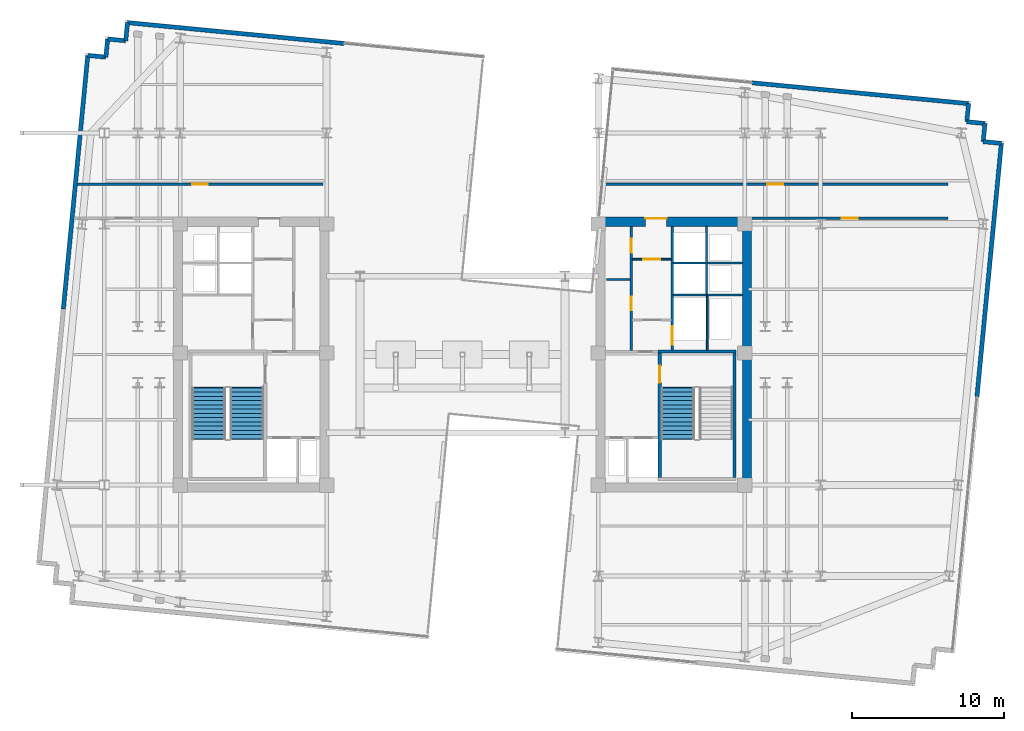
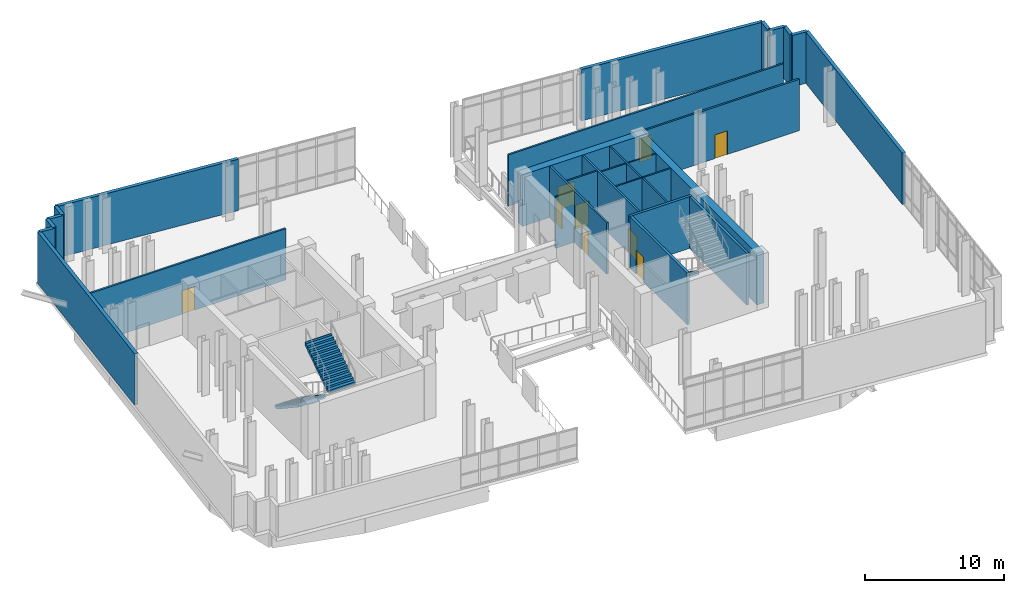
# One storey, part 13 of 16: 29 walls, 9 doors, 3 stair flights, 9 openings, 2 elements without a shape of their own.
"""IFC4 building model written with IfcOpenShell, lengths in metres."""

from ifc_helpers import new_model, si_unit, direction, frame, frame_2d, origin, place, context, subcontext, project, spatial, polyline, rectangle, outline, extrude, material, layer, layer_set, type_object, element, fill, aggregate, save


model = new_model("IFC4")

# Units and contexts
model_context = context("Model", 3, precision=1e-05, world=origin(), true_north=direction((0.0, 1.0)))
body_context = subcontext(model_context, "Body", "Model", "MODEL_VIEW")
ifc_project = project(units=[si_unit("LENGTHUNIT", "METRE"), si_unit("AREAUNIT", "SQUARE_METRE"), si_unit("VOLUMEUNIT", "CUBIC_METRE"), si_unit("PLANEANGLEUNIT", "RADIAN"), si_unit("MASSUNIT", "GRAM", prefix="KILO")], contexts=[model_context])

# Site, building, storey
site_placement = place(None, origin())
site = spatial("IfcSite", under=ifc_project, at=site_placement, CompositionType="ELEMENT")
building_placement = place(site_placement, origin())
building = spatial("IfcBuilding", under=site, at=building_placement, Name="Velakula Bourse", CompositionType="ELEMENT")
storey_placement = place(building_placement, frame((0.0, 0.0, 199.5)))
storey = spatial("IfcBuildingStorey", under=building, at=storey_placement, Name="L54", CompositionType="ELEMENT", Elevation=199.5)

# Wall, opening, door
ifc_material_1 = material(Name="Concrete M50 (fck 50 MPa)", Category="concrete")
ifc_layer_1 = layer(ifc_material_1, 0.2099609375, Name="Concrete M50 (fck 50 MPa)", Category="concrete")
ifc_layer_set_1 = layer_set([ifc_layer_1], Name="Concrete M50 (fck 50 MPa)")
wall_type_1 = type_object("IfcWallType", Name="WL-CORE-210", PredefinedType="SHEAR", material=ifc_layer_set_1)
wall_1_placement = place(storey_placement, frame((12.9951171875, -8.10009765625, 0.0), z_axis=(0.0, 0.0, 1.0), x_axis=(0.0, 1.0, 0.0)))
wall_1 = element("IfcWall", 1, at=wall_1_placement, inside=storey, type_object=wall_type_1, Name="L54 Core E Stairwell Shear Wall IN", PredefinedType="SHEAR", context=body_context, shape_type="SweptSolid", body=[
    extrude(rectangle(XDim=8.2001953125, YDim=0.2099609375, at=frame_2d((4.10009765625, 0.0))), origin(), (0.0, 0.0, 1.0), 4.52001953125),
])
opening_1_placement = place(wall_1_placement, frame((6.25, 0.0, 0.0)))
opening_1 = element("IfcOpeningElement", 2, at=opening_1_placement, cuts=wall_1, Name="Opening D-STE1", PredefinedType="OPENING", context=body_context, shape_type="SweptSolid", body=[
    extrude(rectangle(XDim=1.10009765625, YDim=2.14990234375, at=frame_2d((0.550048828125, 1.074951171875))), frame((0.0, 0.114990234375, 0.0), z_axis=(0.0, -1.0, 0.0), x_axis=(1.0, 0.0, 0.0)), (0.0, 0.0, 1.0), 0.22998046875),
])
ifc_material_2 = material(Name="Galvanised painted hollow steel fire door", Category="steel")
door_type_1 = type_object("IfcDoorType", Name="DR-FD120-1100x2150", OperationType="NOTDEFINED", PredefinedType="DOOR", material=ifc_material_2)
door_1_placement = place(opening_1_placement, origin())
door_1 = element("IfcDoor", 3, at=door_1_placement, inside=storey, type_object=door_type_1, Name="L54 Stair ST-E1 Fire Door", OperationType="SINGLE_SWING_RIGHT", OverallHeight=2.14990234375, OverallWidth=1.10009765625, PredefinedType="DOOR", context=body_context, shape_type="SweptSolid", body=[
    extrude(rectangle(XDim=1.10009765625, YDim=2.14990234375, at=frame_2d((0.550048828125, 1.074951171875))), frame((0.0, 0.02490234375, 0.0), z_axis=(0.0, -1.0, 0.0), x_axis=(1.0, 0.0, 0.0)), (0.0, 0.0, 1.0), 0.050048828125),
])
fill(opening_1, door_1)

# Walls
wall_2_placement = place(storey_placement, frame((17.925048828125, -8.10009765625, 0.0), z_axis=(0.0, 0.0, 1.0), x_axis=(0.0, 1.0, 0.0)))
element("IfcWall", 4, at=wall_2_placement, inside=storey, type_object=wall_type_1, Name="L54 Core E Stairwell Shear Wall OUT", PredefinedType="SHEAR", context=body_context, shape_type="SweptSolid", body=[
    extrude(rectangle(XDim=8.2001953125, YDim=0.2099609375, at=frame_2d((4.10009765625, 0.0))), origin(), (0.0, 0.0, 1.0), 4.52001953125),
])
wall_3_placement = place(storey_placement, frame((18.030029296875, 0.205078125, 0.0), z_axis=(0.0, 0.0, 1.0), x_axis=(-1.0, 0.0, 0.0)))
element("IfcWall", 5, at=wall_3_placement, inside=storey, type_object=wall_type_1, Name="L54 Core E Stairwell Shear Wall N", PredefinedType="SHEAR", context=body_context, shape_type="SweptSolid", body=[
    extrude(rectangle(XDim=5.14013671875, YDim=0.2099609375, at=frame_2d((2.570068359375, 0.0))), origin(), (0.0, 0.0, 1.0), 4.52001953125),
])

# Wall, opening, door
ifc_material_3 = material(Name="Concrete M70 (fck 70 MPa)", Category="concrete")
ifc_layer_2 = layer(ifc_material_3, 0.60009765625, Name="Concrete M70 (fck 70 MPa)", Category="concrete")
ifc_layer_set_2 = layer_set([ifc_layer_2], Name="Concrete M70 (fck 70 MPa)")
wall_type_2 = type_object("IfcWallType", Name="WL-CORE-600", PredefinedType="SHEAR", material=ifc_layer_set_2)
wall_4_placement = place(storey_placement, frame((8.800048828125, 8.75, 0.0), z_axis=(0.0, 0.0, 1.0), x_axis=(1.0, 0.0, 0.0)))
wall_4 = element("IfcWall", 6, at=wall_4_placement, inside=storey, type_object=wall_type_2, Name="L54 Core E Shear Wall N", PredefinedType="SHEAR", context=body_context, shape_type="SweptSolid", body=[
    extrude(rectangle(XDim=10.25, YDim=0.60009765625, at=frame_2d((5.125, 0.0))), origin(), (0.0, 0.0, 1.0), 4.52001953125),
])
opening_2_placement = place(wall_4_placement, frame((3.25, 0.0, 0.0)))
opening_2 = element("IfcOpeningElement", 7, at=opening_2_placement, cuts=wall_4, Name="Opening D-LLE", PredefinedType="OPENING", context=body_context, shape_type="SweptSolid", body=[
    extrude(rectangle(XDim=1.39990234375, YDim=2.050048828125, at=frame_2d((0.699951171875, 1.02490234375))), frame((0.0, 0.31005859375, 0.0), z_axis=(0.0, -1.0, 0.0), x_axis=(1.0, 0.0, 0.0)), (0.0, 0.0, 1.0), 0.6201171875),
])
ifc_material_4 = material(Name="Fire-rated hardwood flush architectural door", Category="wood")
door_type_2 = type_object("IfcDoorType", Name="DR-DBL-FD60-1400", OperationType="DOUBLE_DOOR_SINGLE_SWING", PredefinedType="DOOR", material=ifc_material_4)
door_2_placement = place(opening_2_placement, origin())
door_2 = element("IfcDoor", 8, at=door_2_placement, inside=storey, type_object=door_type_2, Name="L54 Core E Lift Lobby Corridor Double Door", OperationType="DOUBLE_DOOR_SINGLE_SWING", OverallHeight=2.050048828125, OverallWidth=1.39990234375, PredefinedType="DOOR", context=body_context, shape_type="SweptSolid", body=[
    extrude(rectangle(XDim=1.39990234375, YDim=2.050048828125, at=frame_2d((0.699951171875, 1.02490234375))), frame((0.0, 0.2451171875, 0.0), z_axis=(0.0, -1.0, 0.0), x_axis=(1.0, 0.0, 0.0)), (0.0, 0.0, 1.0), 0.050048828125),
])
fill(opening_2, door_2)

# Walls
wall_5_placement = place(storey_placement, frame((18.75, -8.449951171875, 0.0), z_axis=(0.0, 0.0, 1.0), x_axis=(0.0, 1.0, 0.0)))
element("IfcWall", 9, at=wall_5_placement, inside=storey, type_object=wall_type_2, Name="L54 Core E Shear Wall E", PredefinedType="SHEAR", context=body_context, shape_type="SweptSolid", body=[
    extrude(rectangle(XDim=16.89990234375, YDim=0.60009765625, at=frame_2d((8.449951171875, 0.0))), origin(), (0.0, 0.0, 1.0), 4.52001953125),
])
ifc_material_5 = material(Name="Red kilned clay facing brick masonry", Category="masonry")
ifc_layer_3 = layer(ifc_material_5, 0.280029296875, Name="Red kilned clay facing brick masonry", Category="masonry")
ifc_layer_set_3 = layer_set([ifc_layer_3], Name="Red kilned clay facing brick masonry")
wall_type_3 = type_object("IfcWallType", Name="WL-EXT-BRK-280", PredefinedType="STANDARD", material=ifc_layer_set_3)
for number, where, z_axis, x_axis, name in (
    (10, (-22.072509765625, 21.8701171875, 0.0), (0.0, 0.0, 1.0), (0.995395606285, -0.095851901334, 0.0), "L54 N Brick Spandrel Wall B1"),
    (11, (19.0771484375, 17.90771484375, 0.0), (0.0, 0.0, 1.0), (0.995395606285, -0.095851901334, 0.0), "L54 N Brick Spandrel Wall B5"),
):
    element("IfcWall", number, at=place(storey_placement, frame(where, z_axis=z_axis, x_axis=x_axis)), inside=storey, type_object=wall_type_3, Name=name, PredefinedType="STANDARD", context=body_context, shape_type="SweptSolid", body=[
        extrude(rectangle(XDim=14.33984375, YDim=0.280029296875, at=frame_2d((7.169921875, 0.0))), origin(), (0.0, 0.0, 1.0), 4.5),
    ])
wall_6_placement = place(storey_placement, frame((-26.30078125, 2.998291015625, 0.0), z_axis=(0.0, 0.0, 1.0), x_axis=(0.095837640115, 0.99539697947, 0.0)))
element("IfcWall", 12, at=wall_6_placement, inside=storey, type_object=wall_type_3, Name="L54 W Brick End Wall W2", PredefinedType="STANDARD", context=body_context, shape_type="SweptSolid", body=[
    extrude(rectangle(XDim=16.790283203125, YDim=0.280029296875, at=frame_2d((8.39501953125, 0.0))), origin(), (0.0, 0.0, 1.0), 4.5),
])
wall_7_placement = place(storey_placement, frame((35.510009765625, 13.914306640625, 0.0), z_axis=(0.0, 0.0, 1.0), x_axis=(-0.095839027265, -0.995396845913, 0.0)))
element("IfcWall", 13, at=wall_7_placement, inside=storey, type_object=wall_type_3, Name="L54 E Brick End Wall W2", PredefinedType="STANDARD", context=body_context, shape_type="SweptSolid", body=[
    extrude(rectangle(XDim=16.7900390625, YDim=0.280029296875, at=frame_2d((8.39501953125, 0.0))), origin(), (0.0, 0.0, 1.0), 4.5),
])
wall_8_placement = place(storey_placement, frame((35.510009765625, 13.914306640625, 0.0), z_axis=(0.0, 0.0, 1.0), x_axis=(-0.995397091755, 0.095836473879, 0.0)))
element("IfcWall", 14, at=wall_8_placement, inside=storey, type_object=wall_type_3, Name="L54 Serrated Corner Brick Wall NE-1", PredefinedType="STANDARD", context=body_context, shape_type="SweptSolid", body=[
    extrude(rectangle(XDim=1.199951171875, YDim=0.280029296875, at=frame_2d((0.60009765625, 0.0))), origin(), (0.0, 0.0, 1.0), 4.5),
])
for number, where, z_axis, x_axis, name in (
    (15, (34.315673828125, 14.029296875, 0.0), (0.0, 0.0, 1.0), (0.095817067274, 0.995398960025, 0.0), "L54 Serrated Corner Brick Wall NE-2"),
    (16, (34.4306640625, 15.223876953125, 0.0), (0.0, 0.0, 1.0), (-0.995398960025, 0.095817067274, 0.0), "L54 Serrated Corner Brick Wall NE-3"),
):
    element("IfcWall", number, at=place(storey_placement, frame(where, z_axis=z_axis, x_axis=x_axis)), inside=storey, type_object=wall_type_3, Name=name, PredefinedType="STANDARD", context=body_context, shape_type="SweptSolid", body=[
        extrude(rectangle(XDim=1.2001953125, YDim=0.280029296875, at=frame_2d((0.60009765625, 0.0))), origin(), (0.0, 0.0, 1.0), 4.5),
    ])
wall_9_placement = place(storey_placement, frame((33.236083984375, 15.3388671875, 0.0), z_axis=(0.0, 0.0, 1.0), x_axis=(0.095836473879, 0.995397091755, 0.0)))
element("IfcWall", 17, at=wall_9_placement, inside=storey, type_object=wall_type_3, Name="L54 Serrated Corner Brick Wall NE-4", PredefinedType="STANDARD", context=body_context, shape_type="SweptSolid", body=[
    extrude(rectangle(XDim=1.199951171875, YDim=0.280029296875, at=frame_2d((0.60009765625, 0.0))), origin(), (0.0, 0.0, 1.0), 4.5),
])
for number, where, z_axis, x_axis, name in (
    (18, (-22.072509765625, 21.8701171875, 0.0), (0.0, 0.0, 1.0), (-0.095817067274, -0.995398960025, 0.0), "L54 Serrated Corner Brick Wall NW-1"),
    (19, (-22.1875, 20.675537109375, 0.0), (0.0, 0.0, 1.0), (-0.995398960025, 0.095817067274, 0.0), "L54 Serrated Corner Brick Wall NW-2"),
    (20, (-23.382080078125, 20.79052734375, 0.0), (0.0, 0.0, 1.0), (-0.095817067274, -0.995398960025, 0.0), "L54 Serrated Corner Brick Wall NW-3"),
    (21, (-23.4970703125, 19.595947265625, 0.0), (0.0, 0.0, 1.0), (-0.995379537303, 0.096018626938, 0.0), "L54 Serrated Corner Brick Wall NW-4"),
):
    element("IfcWall", number, at=place(storey_placement, frame(where, z_axis=z_axis, x_axis=x_axis)), inside=storey, type_object=wall_type_3, Name=name, PredefinedType="STANDARD", context=body_context, shape_type="SweptSolid", body=[
        extrude(rectangle(XDim=1.2001953125, YDim=0.280029296875, at=frame_2d((0.60009765625, 0.0))), origin(), (0.0, 0.0, 1.0), 4.5),
    ])

# Wall, opening, door
ifc_material_6 = material(Name="Fire-rated double-layer gypsum drywall partition", Category="gypsum")
ifc_layer_4 = layer(ifc_material_6, 0.1201171875, Name="Fire-rated double-layer gypsum drywall partition", Category="gypsum")
ifc_layer_set_4 = layer_set([ifc_layer_4], Name="Fire-rated double-layer gypsum drywall partition")
wall_type_4 = type_object("IfcWallType", Name="WL-PART-120", PredefinedType="STANDARD", material=ifc_layer_set_4)
wall_10_placement = place(storey_placement, frame((11.199951171875, 6.280029296875, 0.0), z_axis=(0.0, 0.0, 1.0), x_axis=(1.0, 0.0, 0.0)))
wall_10 = element("IfcWall", 22, at=wall_10_placement, inside=storey, type_object=wall_type_4, Name="L54 Interior Partition WL-CRE-L54-LL-K3B", PredefinedType="STANDARD", context=body_context, shape_type="SweptSolid", body=[
    extrude(rectangle(XDim=2.550048828125, YDim=0.1201171875, at=frame_2d((1.27490234375, 0.0))), origin(), (0.0, 0.0, 1.0), 4.5),
])
opening_3_placement = place(wall_10_placement, frame((0.72509765625, 0.0, 0.0)))
opening_3 = element("IfcOpeningElement", 23, at=opening_3_placement, cuts=wall_10, Name="Opening D-LK3", PredefinedType="OPENING", context=body_context, shape_type="SweptSolid", body=[
    extrude(rectangle(XDim=1.10009765625, YDim=2.10009765625, at=frame_2d((0.550048828125, 1.050048828125))), frame((0.0, 0.070068359375, 0.0), z_axis=(0.0, -1.0, 0.0), x_axis=(1.0, 0.0, 0.0)), (0.0, 0.0, 1.0), 0.14013671875),
])
door_type_3 = type_object("IfcDoorType", Name="DR-FD60-1100x2100", OperationType="NOTDEFINED", PredefinedType="DOOR", material=ifc_material_4)
door_3_placement = place(opening_3_placement, origin())
door_3 = element("IfcDoor", 24, at=door_3_placement, inside=storey, type_object=door_type_3, Name="L54 Core E Lift Lobby Vestibule Door B", OperationType="SINGLE_SWING_RIGHT", OverallHeight=2.10009765625, OverallWidth=1.10009765625, PredefinedType="DOOR", context=body_context, shape_type="SweptSolid", body=[
    extrude(rectangle(XDim=1.10009765625, YDim=2.10009765625, at=frame_2d((0.550048828125, 1.050048828125))), frame((0.0, 0.02490234375, 0.0), z_axis=(0.0, -1.0, 0.0), x_axis=(1.0, 0.0, 0.0)), (0.0, 0.0, 1.0), 0.050048828125),
])
fill(opening_3, door_3)

# Walls
wall_11_placement = place(storey_placement, frame((9.5, 4.949951171875, 0.0), z_axis=(0.0, 0.0, 1.0), x_axis=(1.0, 0.0, 0.0)))
element("IfcWall", 25, at=wall_11_placement, inside=storey, type_object=wall_type_4, Name="L54 Interior Partition WL-CRE-L54-RCDIV", PredefinedType="STANDARD", context=body_context, shape_type="SweptSolid", body=[
    extrude(rectangle(XDim=1.550048828125, YDim=0.1201171875, at=frame_2d((0.77490234375, 0.0))), origin(), (0.0, 0.0, 1.0), 4.5),
])
wall_12_placement = place(storey_placement, frame((13.89990234375, 3.919921875, 0.0), z_axis=(0.0, 0.0, 1.0), x_axis=(1.0, 0.0, 0.0)))
element("IfcWall", 26, at=wall_12_placement, inside=storey, type_object=wall_type_4, Name="L54 Interior Partition WL-CRE-L54-HI-S", PredefinedType="STANDARD", context=body_context, shape_type="SweptSolid", body=[
    extrude(rectangle(XDim=4.550048828125, YDim=0.1201171875, at=frame_2d((2.27490234375, 0.0))), origin(), (0.0, 0.0, 1.0), 4.5),
])
wall_13_placement = place(storey_placement, frame((16.14990234375, 6.030029296875, 0.0), z_axis=(0.0, 0.0, 1.0), x_axis=(1.0, 0.0, 0.0)))
element("IfcWall", 27, at=wall_13_placement, inside=storey, type_object=wall_type_4, Name="L54 Interior Partition WL-CRE-L54-RIS-MID", PredefinedType="STANDARD", context=body_context, shape_type="SweptSolid", body=[
    extrude(rectangle(XDim=2.300048828125, YDim=0.1201171875, at=frame_2d((1.14990234375, 0.0))), origin(), (0.0, 0.0, 1.0), 4.5),
])
wall_14_placement = place(storey_placement, frame((16.074951171875, 3.97998046875, 0.0), z_axis=(0.0, 0.0, 1.0), x_axis=(0.0, 1.0, 0.0)))
element("IfcWall", 28, at=wall_14_placement, inside=storey, type_object=wall_type_4, Name="L54 Interior Partition WL-CRE-L54-RIS-F", PredefinedType="STANDARD", context=body_context, shape_type="SweptSolid", body=[
    extrude(rectangle(XDim=4.469970703125, YDim=0.1201171875, at=frame_2d((2.23486328125, 0.0))), origin(), (0.0, 0.0, 1.0), 4.5),
])
wall_15_placement = place(storey_placement, frame((13.89990234375, 6.030029296875, 0.0), z_axis=(0.0, 0.0, 1.0), x_axis=(1.0, 0.0, 0.0)))
element("IfcWall", 29, at=wall_15_placement, inside=storey, type_object=wall_type_4, Name="L54 Interior Partition WL-CRE-L54-HI-DIV", PredefinedType="STANDARD", context=body_context, shape_type="SweptSolid", body=[
    extrude(rectangle(XDim=2.10009765625, YDim=0.1201171875, at=frame_2d((1.050048828125, 0.0))), origin(), (0.0, 0.0, 1.0), 4.5),
])
wall_16_placement = place(storey_placement, frame((16.125, 0.27001953125, 0.0), z_axis=(0.0, 0.0, 1.0), x_axis=(0.0, 1.0, 0.0)))
element("IfcWall", 30, at=wall_16_placement, inside=storey, type_object=wall_type_4, Name="L54 Interior Partition WL-CRE-L54-SVL-E", PredefinedType="STANDARD", context=body_context, shape_type="SweptSolid", body=[
    extrude(rectangle(XDim=3.590087890625, YDim=0.1201171875, at=frame_2d((1.794921875, 0.0))), origin(), (0.0, 0.0, 1.0), 4.5),
])

# Wall, openings, doors
ifc_material_7 = material(Name="Autoclaved aerated concrete blockwork masonry", Category="masonry")
ifc_layer_5 = layer(ifc_material_7, 0.14990234375, Name="Autoclaved aerated concrete blockwork masonry", Category="masonry")
ifc_layer_set_5 = layer_set([ifc_layer_5], Name="Autoclaved aerated concrete blockwork masonry")
wall_type_5 = type_object("IfcWallType", Name="WL-SHAFT-150", PredefinedType="STANDARD", material=ifc_layer_set_5)
wall_17_placement = place(storey_placement, frame((11.125, 0.27001953125, 0.0), z_axis=(0.0, 0.0, 1.0), x_axis=(0.0, 1.0, 0.0)))
wall_17 = element("IfcWall", 31, at=wall_17_placement, inside=storey, type_object=wall_type_5, Name="L54 Interior Partition WL-CRE-L54-BANK-F", PredefinedType="STANDARD", context=body_context, shape_type="SweptSolid", body=[
    extrude(rectangle(XDim=8.179931640625, YDim=0.14990234375, at=frame_2d((4.08984375, 0.0))), origin(), (0.0, 0.0, 1.0), 4.5),
])
opening_4_placement = place(wall_17_placement, frame((2.64990234375, 0.0, 0.0)))
opening_4 = element("IfcOpeningElement", 32, at=opening_4_placement, cuts=wall_17, Name="Opening D-RC2", PredefinedType="OPENING", context=body_context, shape_type="SweptSolid", body=[
    extrude(rectangle(XDim=0.89990234375, YDim=2.050048828125, at=frame_2d((0.449951171875, 1.02490234375))), frame((0.0, 0.0849609375, 0.0), z_axis=(0.0, -1.0, 0.0), x_axis=(1.0, 0.0, 0.0)), (0.0, 0.0, 1.0), 0.169921875),
])
opening_5_placement = place(wall_17_placement, frame((6.449951171875, 0.0, 0.0)))
opening_5 = element("IfcOpeningElement", 33, at=opening_5_placement, cuts=wall_17, Name="Opening D-RC2", PredefinedType="OPENING", context=body_context, shape_type="SweptSolid", body=[
    extrude(rectangle(XDim=0.89990234375, YDim=2.050048828125, at=frame_2d((0.449951171875, 1.02490234375))), frame((0.0, 0.0849609375, 0.0), z_axis=(0.0, -1.0, 0.0), x_axis=(1.0, 0.0, 0.0)), (0.0, 0.0, 1.0), 0.169921875),
])
door_type_4 = type_object("IfcDoorType", Name="DR-FD60-900", OperationType="NOTDEFINED", PredefinedType="DOOR", material=ifc_material_4)
door_4_placement = place(opening_4_placement, origin())
door_4 = element("IfcDoor", 34, at=door_4_placement, inside=storey, type_object=door_type_4, Name="L54 Reclaimed Vault Room Door", OperationType="SINGLE_SWING_LEFT", OverallHeight=2.050048828125, OverallWidth=0.89990234375, PredefinedType="DOOR", context=body_context, shape_type="SweptSolid", body=[
    extrude(rectangle(XDim=0.89990234375, YDim=2.050048828125, at=frame_2d((0.449951171875, 1.02490234375))), frame((0.0, 0.02490234375, 0.0), z_axis=(0.0, -1.0, 0.0), x_axis=(1.0, 0.0, 0.0)), (0.0, 0.0, 1.0), 0.050048828125),
])
fill(opening_4, door_4)
door_5_placement = place(opening_5_placement, origin())
door_5 = element("IfcDoor", 35, at=door_5_placement, inside=storey, type_object=door_type_4, Name="L54 Reclaimed Depository Store Door", OperationType="SINGLE_SWING_RIGHT", OverallHeight=2.050048828125, OverallWidth=0.89990234375, PredefinedType="DOOR", context=body_context, shape_type="SweptSolid", body=[
    extrude(rectangle(XDim=0.89990234375, YDim=2.050048828125, at=frame_2d((0.449951171875, 1.02490234375))), frame((0.0, 0.02490234375, 0.0), z_axis=(0.0, -1.0, 0.0), x_axis=(1.0, 0.0, 0.0)), (0.0, 0.0, 1.0), 0.050048828125),
])
fill(opening_5, door_5)

# Wall, opening, door
wall_18_placement = place(storey_placement, frame((13.824951171875, 0.27001953125, 0.0), z_axis=(0.0, 0.0, 1.0), x_axis=(0.0, 1.0, 0.0)))
wall_18 = element("IfcWall", 36, at=wall_18_placement, inside=storey, type_object=wall_type_5, Name="L54 Interior Partition WL-CRE-L54-OUT-F", PredefinedType="STANDARD", context=body_context, shape_type="SweptSolid", body=[
    extrude(rectangle(XDim=8.179931640625, YDim=0.14990234375, at=frame_2d((4.08984375, 0.0))), origin(), (0.0, 0.0, 1.0), 4.5),
])
opening_6_placement = place(wall_18_placement, frame((0.3798828125, 0.0, 0.0)))
opening_6 = element("IfcOpeningElement", 37, at=opening_6_placement, cuts=wall_18, Name="Opening LD-SVL1", PredefinedType="OPENING", context=body_context, shape_type="SweptSolid", body=[
    extrude(rectangle(XDim=1.199951171875, YDim=2.10009765625, at=frame_2d((0.60009765625, 1.050048828125))), frame((0.0, 0.0849609375, 0.0), z_axis=(0.0, -1.0, 0.0), x_axis=(1.0, 0.0, 0.0)), (0.0, 0.0, 1.0), 0.169921875),
])
ifc_material_8 = material(Name="Brushed grade 316 stainless steel", Category="steel")
door_type_5 = type_object("IfcDoorType", Name="DR-SLIDE-LD-1200", OperationType="DOUBLE_DOOR_SLIDING", PredefinedType="DOOR", material=ifc_material_8)
door_6_placement = place(opening_6_placement, origin())
door_6 = element("IfcDoor", 38, at=door_6_placement, inside=storey, type_object=door_type_5, Name="L54 Service Lift SVL-1 Sliding Landing Door", OperationType="DOUBLE_DOOR_SLIDING", OverallHeight=2.10009765625, OverallWidth=1.199951171875, PredefinedType="DOOR", context=body_context, shape_type="SweptSolid", body=[
    extrude(rectangle(XDim=1.199951171875, YDim=2.10009765625, at=frame_2d((0.60009765625, 1.050048828125))), frame((0.0, 0.02490234375, 0.0), z_axis=(0.0, -1.0, 0.0), x_axis=(1.0, 0.0, 0.0)), (0.0, 0.0, 1.0), 0.050048828125),
])
fill(opening_6, door_6)

wall_19_placement = place(storey_placement, frame((-25.388671875, 11.219970703125, 0.0), z_axis=(0.0, 0.0, 1.0), x_axis=(1.0, 0.0, 0.0)))
wall_19 = element("IfcWall", 39, at=wall_19_placement, inside=storey, type_object=wall_type_5, Name="L54 Interior Partition WL-PLT-L54-W-NC", PredefinedType="STANDARD", context=body_context, shape_type="SweptSolid", body=[
    extrude(rectangle(XDim=16.188720703125, YDim=0.14990234375, at=frame_2d((8.09423828125, 0.0))), origin(), (0.0, 0.0, 1.0), 4.5),
])
opening_7_placement = place(wall_19_placement, frame((7.5693359375, 0.0, 0.0)))
opening_7 = element("IfcOpeningElement", 40, at=opening_7_placement, cuts=wall_19, Name="Opening D-PL1", PredefinedType="OPENING", context=body_context, shape_type="SweptSolid", body=[
    extrude(rectangle(XDim=1.050048828125, YDim=2.080078125, at=frame_2d((0.52490234375, 1.0400390625))), frame((0.0, 0.0849609375, 0.0), z_axis=(0.0, -1.0, 0.0), x_axis=(1.0, 0.0, 0.0)), (0.0, 0.0, 1.0), 0.169921875),
])
door_type_6 = type_object("IfcDoorType", Name="DR-FD120-1050x2080", OperationType="NOTDEFINED", PredefinedType="DOOR", material=ifc_material_2)
door_7_placement = place(opening_7_placement, origin())
door_7 = element("IfcDoor", 41, at=door_7_placement, inside=storey, type_object=door_type_6, Name="L54 Wind-Turbine Power Inverter Switchroom Door", OperationType="SINGLE_SWING_LEFT", OverallHeight=2.080078125, OverallWidth=1.050048828125, PredefinedType="DOOR", context=body_context, shape_type="SweptSolid", body=[
    extrude(rectangle(XDim=1.050048828125, YDim=2.080078125, at=frame_2d((0.52490234375, 1.0400390625))), frame((0.0, 0.02490234375, 0.0), z_axis=(0.0, -1.0, 0.0), x_axis=(1.0, 0.0, 0.0)), (0.0, 0.0, 1.0), 0.050048828125),
])
fill(opening_7, door_7)

wall_20_placement = place(storey_placement, frame((9.199951171875, 11.219970703125, 0.0), z_axis=(0.0, 0.0, 1.0), x_axis=(1.0, 0.0, 0.0)))
wall_20 = element("IfcWall", 42, at=wall_20_placement, inside=storey, type_object=wall_type_5, Name="L54 Interior Partition WL-PLT-L54-E-NC", PredefinedType="STANDARD", context=body_context, shape_type="SweptSolid", body=[
    extrude(rectangle(XDim=22.800048828125, YDim=0.14990234375, at=frame_2d((11.39990234375, 0.0))), origin(), (0.0, 0.0, 1.0), 4.5),
])
opening_8_placement = place(wall_20_placement, frame((10.875, 0.0, 0.0)))
opening_8 = element("IfcOpeningElement", 43, at=opening_8_placement, cuts=wall_20, Name="Opening D-PL1", PredefinedType="OPENING", context=body_context, shape_type="SweptSolid", body=[
    extrude(rectangle(XDim=1.050048828125, YDim=2.080078125, at=frame_2d((0.52490234375, 1.0400390625))), frame((0.0, 0.0849609375, 0.0), z_axis=(0.0, -1.0, 0.0), x_axis=(1.0, 0.0, 0.0)), (0.0, 0.0, 1.0), 0.169921875),
])
door_8_placement = place(opening_8_placement, origin())
door_8 = element("IfcDoor", 44, at=door_8_placement, inside=storey, type_object=door_type_6, Name="L54 Acoustic Venturi AHU Mechanical Room Door", OperationType="SINGLE_SWING_LEFT", OverallHeight=2.080078125, OverallWidth=1.050048828125, PredefinedType="DOOR", context=body_context, shape_type="SweptSolid", body=[
    extrude(rectangle(XDim=1.050048828125, YDim=2.080078125, at=frame_2d((0.52490234375, 1.0400390625))), frame((0.0, 0.02490234375, 0.0), z_axis=(0.0, -1.0, 0.0), x_axis=(1.0, 0.0, 0.0)), (0.0, 0.0, 1.0), 0.050048828125),
])
fill(opening_8, door_8)

wall_21_placement = place(storey_placement, frame((19.050048828125, 8.97998046875, 0.0), z_axis=(0.0, 0.0, 1.0), x_axis=(1.0, 0.0, 0.0)))
wall_21 = element("IfcWall", 45, at=wall_21_placement, inside=storey, type_object=wall_type_5, Name="L54 Interior Partition WL-PLT-L54-E-WC", PredefinedType="STANDARD", context=body_context, shape_type="SweptSolid", body=[
    extrude(rectangle(XDim=12.949951171875, YDim=0.14990234375, at=frame_2d((6.47509765625, 0.0))), origin(), (0.0, 0.0, 1.0), 4.5),
])
opening_9_placement = place(wall_21_placement, frame((5.949951171875, 0.0, 0.0)))
opening_9 = element("IfcOpeningElement", 46, at=opening_9_placement, cuts=wall_21, Name="Opening D-PL1", PredefinedType="OPENING", context=body_context, shape_type="SweptSolid", body=[
    extrude(rectangle(XDim=1.050048828125, YDim=2.080078125, at=frame_2d((0.52490234375, 1.0400390625))), frame((0.0, 0.0849609375, 0.0), z_axis=(0.0, -1.0, 0.0), x_axis=(1.0, 0.0, 0.0)), (0.0, 0.0, 1.0), 0.169921875),
])
door_9_placement = place(opening_9_placement, origin())
door_9 = element("IfcDoor", 47, at=door_9_placement, inside=storey, type_object=door_type_6, Name="L54 Emergency Harmonic Filter Plant Room Door", OperationType="SINGLE_SWING_RIGHT", OverallHeight=2.080078125, OverallWidth=1.050048828125, PredefinedType="DOOR", context=body_context, shape_type="SweptSolid", body=[
    extrude(rectangle(XDim=1.050048828125, YDim=2.080078125, at=frame_2d((0.52490234375, 1.0400390625))), frame((0.0, 0.02490234375, 0.0), z_axis=(0.0, -1.0, 0.0), x_axis=(1.0, 0.0, 0.0)), (0.0, 0.0, 1.0), 0.050048828125),
])
fill(opening_9, door_9)

# Stair, stair flights
ifc_material_9 = material(Name="Concrete M45 (fck 45 MPa)", Category="concrete")
stair_type = type_object("IfcStairType", Name="STR-DOG-480", PredefinedType="HALF_TURN_STAIR", material=ifc_material_9)
stair_1_placement = place(storey_placement, origin())
stair_1 = element("IfcStair", 48, at=stair_1_placement, inside=storey, type_object=stair_type, Name="L54 West Core Exit Stair ST-W1", PredefinedType="HALF_TURN_STAIR")
ifc_layer_6 = layer(ifc_material_9, 0.199951171875, Name="Concrete M45 (fck 45 MPa)", Category="concrete")
ifc_layer_set_6 = layer_set([ifc_layer_6], Name="Concrete M45 (fck 45 MPa)")
stair_flight_type = type_object("IfcStairFlightType", Name="FLT-DOG-480", PredefinedType="STRAIGHT", material=ifc_layer_set_6)
stair_flight_1_placement = place(storey_placement, frame((-16.720947265625, -2.199951171875, 0.0), z_axis=(0.0, 0.0, 1.0), x_axis=(0.0, -1.0, 0.0)))
stair_flight_1 = element("IfcStairFlight", 49, at=stair_flight_1_placement, type_object=stair_flight_type, Name="ST-W1 flight 1", NumberOfRisers=13, NumberOfTreads=12, PredefinedType="STRAIGHT", RiserHeight=0.184615385, TreadLength=0.28, context=body_context, shape_type="SweptSolid", body=[
    extrude(outline(polyline([(-0.044921875, -0.0400390625), (-0.044921875, -0.036865234375), (-0.044921875, -0.033935546875), (-0.044921875, -0.03076171875), (-0.044921875, -0.027587890625), (-0.044921875, -0.024658203125), (-0.044921875, -0.021484375), (-0.044921875, -0.0185546875), (-0.044921875, -0.015380859375), (-0.044921875, -0.01220703125), (-0.044921875, -0.00927734375), (-0.044921875, -0.006103515625), (-0.044921875, -0.003173828125), (-0.044921875, 0.0), (0.0, 0.0), (0.0, 0.1845703125), (0.280029296875, 0.1845703125), (0.280029296875, 0.369140625), (0.56005859375, 0.369140625), (0.56005859375, 0.553955078125), (0.840087890625, 0.553955078125), (0.840087890625, 0.738525390625), (1.1201171875, 0.738525390625), (1.1201171875, 0.923095703125), (1.39990234375, 0.923095703125), (1.39990234375, 1.107666015625), (1.679931640625, 1.107666015625), (1.679931640625, 1.292236328125), (1.9599609375, 1.292236328125), (1.9599609375, 1.476806640625), (2.239990234375, 1.476806640625), (2.239990234375, 1.66162109375), (2.52001953125, 1.66162109375), (2.52001953125, 1.84619140625), (2.800048828125, 1.84619140625), (2.800048828125, 2.03076171875), (3.080078125, 2.03076171875), (3.080078125, 2.21533203125), (3.360107421875, 2.21533203125), (3.360107421875, 2.39990234375), (3.405029296875, 2.39990234375), (3.405029296875, 2.3740234375), (3.405029296875, 2.347900390625), (3.405029296875, 2.322021484375), (3.405029296875, 2.2958984375), (3.405029296875, 2.27001953125), (3.405029296875, 2.243896484375), (3.405029296875, 2.218017578125), (3.405029296875, 2.19189453125), (3.405029296875, 2.165771484375), (3.405029296875, 2.139892578125), (3.405029296875, 2.11376953125), (3.405029296875, 2.087890625), (3.405029296875, 2.061767578125), (3.405029296875, 2.035888671875), (0.272216796875, -0.0400390625), (-0.044921875, -0.0400390625)])), frame((0.0, 1.09912109375, 0.0), z_axis=(0.0, -1.0, 0.0), x_axis=(1.0, 0.0, 0.0)), (0.0, 0.0, 1.0), 2.197998046875),
])
stair_flight_2_placement = place(storey_placement, frame((-14.198974609375, -5.56005859375, 2.39990234375), z_axis=(0.0, 0.0, 1.0), x_axis=(0.0, 1.0, 0.0)))
stair_flight_2 = element("IfcStairFlight", 50, at=stair_flight_2_placement, type_object=stair_flight_type, Name="ST-W1 flight 2", NumberOfRisers=13, NumberOfTreads=12, PredefinedType="STRAIGHT", RiserHeight=0.184615385, TreadLength=0.28, context=body_context, shape_type="SweptSolid", body=[
    extrude(outline(polyline([(-0.044921875, -0.0400390625), (-0.044921875, -0.036865234375), (-0.044921875, -0.033935546875), (-0.044921875, -0.03076171875), (-0.044921875, -0.027587890625), (-0.044921875, -0.024658203125), (-0.044921875, -0.021484375), (-0.044921875, -0.0185546875), (-0.044921875, -0.015380859375), (-0.044921875, -0.01220703125), (-0.044921875, -0.00927734375), (-0.044921875, -0.006103515625), (-0.044921875, -0.003173828125), (-0.044921875, 0.0), (0.0, 0.0), (0.0, 0.1845703125), (0.280029296875, 0.1845703125), (0.280029296875, 0.369140625), (0.56005859375, 0.369140625), (0.56005859375, 0.553955078125), (0.840087890625, 0.553955078125), (0.840087890625, 0.738525390625), (1.1201171875, 0.738525390625), (1.1201171875, 0.923095703125), (1.39990234375, 0.923095703125), (1.39990234375, 1.107666015625), (1.679931640625, 1.107666015625), (1.679931640625, 1.292236328125), (1.9599609375, 1.292236328125), (1.9599609375, 1.476806640625), (2.239990234375, 1.476806640625), (2.239990234375, 1.66162109375), (2.52001953125, 1.66162109375), (2.52001953125, 1.84619140625), (2.800048828125, 1.84619140625), (2.800048828125, 2.03076171875), (3.080078125, 2.03076171875), (3.080078125, 2.21533203125), (3.360107421875, 2.21533203125), (3.360107421875, 2.39990234375), (3.405029296875, 2.39990234375), (3.405029296875, 2.3740234375), (3.405029296875, 2.347900390625), (3.405029296875, 2.322021484375), (3.405029296875, 2.2958984375), (3.405029296875, 2.27001953125), (3.405029296875, 2.243896484375), (3.405029296875, 2.218017578125), (3.405029296875, 2.19189453125), (3.405029296875, 2.165771484375), (3.405029296875, 2.139892578125), (3.405029296875, 2.11376953125), (3.405029296875, 2.087890625), (3.405029296875, 2.061767578125), (3.405029296875, 2.035888671875), (0.272216796875, -0.0400390625), (-0.044921875, -0.0400390625)])), frame((0.0, 1.09912109375, 0.0), z_axis=(0.0, -1.0, 0.0), x_axis=(1.0, 0.0, 0.0)), (0.0, 0.0, 1.0), 2.197998046875),
])
aggregate(stair_1, [stair_flight_1, stair_flight_2])

# Stair, stair flight
stair_2_placement = place(storey_placement, origin())
stair_2 = element("IfcStair", 51, at=stair_2_placement, inside=storey, type_object=stair_type, Name="L54 East Core Exit Stair ST-E1", PredefinedType="HALF_TURN_STAIR")
stair_flight_3_placement = place(storey_placement, frame((14.198974609375, -2.199951171875, 0.0), z_axis=(0.0, 0.0, 1.0), x_axis=(0.0, -1.0, 0.0)))
stair_flight_3 = element("IfcStairFlight", 52, at=stair_flight_3_placement, type_object=stair_flight_type, Name="ST-E1 flight 1", NumberOfRisers=13, NumberOfTreads=12, PredefinedType="STRAIGHT", RiserHeight=0.184615385, TreadLength=0.28, context=body_context, shape_type="SweptSolid", body=[
    extrude(outline(polyline([(-0.044921875, -0.0400390625), (-0.044921875, -0.036865234375), (-0.044921875, -0.033935546875), (-0.044921875, -0.03076171875), (-0.044921875, -0.027587890625), (-0.044921875, -0.024658203125), (-0.044921875, -0.021484375), (-0.044921875, -0.0185546875), (-0.044921875, -0.015380859375), (-0.044921875, -0.01220703125), (-0.044921875, -0.00927734375), (-0.044921875, -0.006103515625), (-0.044921875, -0.003173828125), (-0.044921875, 0.0), (0.0, 0.0), (0.0, 0.1845703125), (0.280029296875, 0.1845703125), (0.280029296875, 0.369140625), (0.56005859375, 0.369140625), (0.56005859375, 0.553955078125), (0.840087890625, 0.553955078125), (0.840087890625, 0.738525390625), (1.1201171875, 0.738525390625), (1.1201171875, 0.923095703125), (1.39990234375, 0.923095703125), (1.39990234375, 1.107666015625), (1.679931640625, 1.107666015625), (1.679931640625, 1.292236328125), (1.9599609375, 1.292236328125), (1.9599609375, 1.476806640625), (2.239990234375, 1.476806640625), (2.239990234375, 1.66162109375), (2.52001953125, 1.66162109375), (2.52001953125, 1.84619140625), (2.800048828125, 1.84619140625), (2.800048828125, 2.03076171875), (3.080078125, 2.03076171875), (3.080078125, 2.21533203125), (3.360107421875, 2.21533203125), (3.360107421875, 2.39990234375), (3.405029296875, 2.39990234375), (3.405029296875, 2.3740234375), (3.405029296875, 2.347900390625), (3.405029296875, 2.322021484375), (3.405029296875, 2.2958984375), (3.405029296875, 2.27001953125), (3.405029296875, 2.243896484375), (3.405029296875, 2.218017578125), (3.405029296875, 2.19189453125), (3.405029296875, 2.165771484375), (3.405029296875, 2.139892578125), (3.405029296875, 2.11376953125), (3.405029296875, 2.087890625), (3.405029296875, 2.061767578125), (3.405029296875, 2.035888671875), (0.272216796875, -0.0400390625), (-0.044921875, -0.0400390625)])), frame((0.0, 1.09912109375, 0.0), z_axis=(0.0, -1.0, 0.0), x_axis=(1.0, 0.0, 0.0)), (0.0, 0.0, 1.0), 2.197998046875),
])
aggregate(stair_2, [stair_flight_3])

save(model, "model.ifc")
